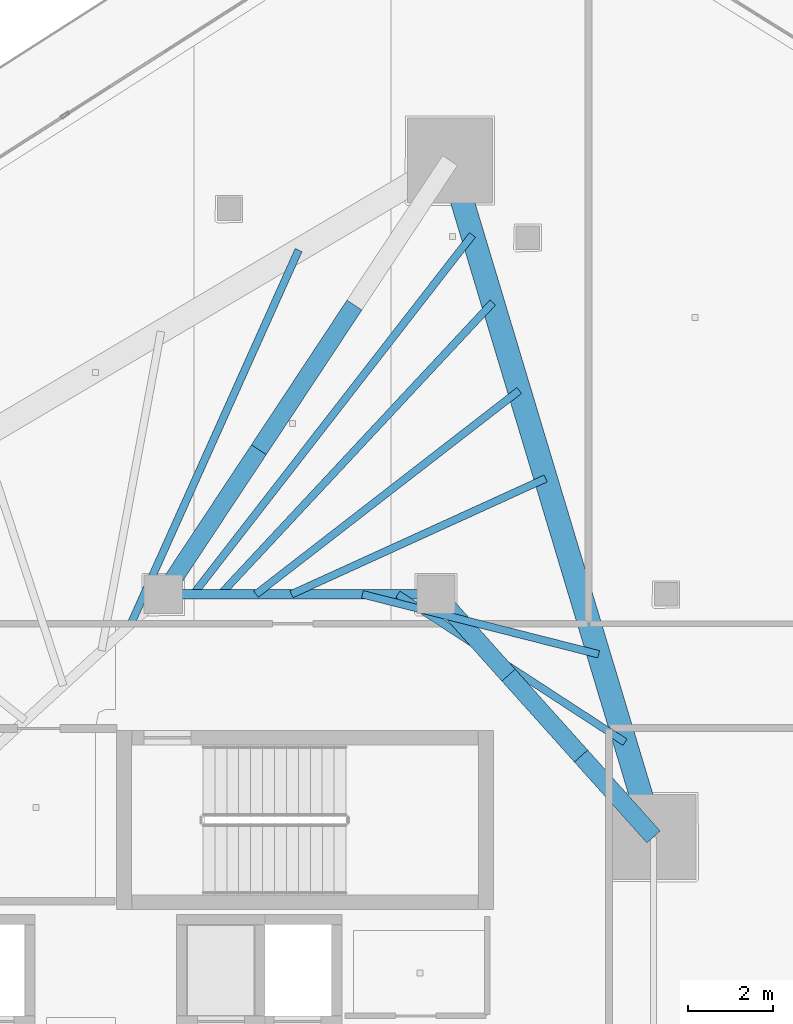
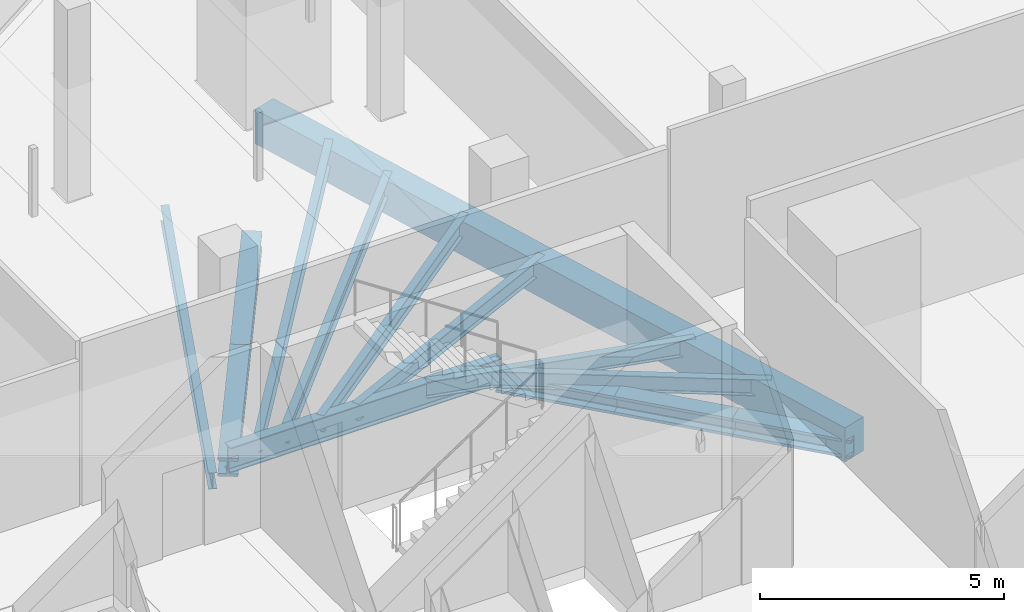
# One storey, part 18 of 36: 9 beams, 5 members.
"""IFC4 building model written with IfcOpenShell, lengths in metres."""

from ifc_helpers import new_model, si_unit, direction, frame, origin, origin_2d, place, context, subcontext, project, spatial, rectangle, i_section, extrude, material, material_profile, profile_set, type_object, element, save


model = new_model("IFC4")

# Units and contexts
model_context = context("Model", 3, precision=1e-05, world=origin(), true_north=direction((0.0, 1.0)))
body_context = subcontext(model_context, "Body", "Model", "MODEL_VIEW")
ifc_project = project(units=[si_unit("LENGTHUNIT", "METRE"), si_unit("AREAUNIT", "SQUARE_METRE"), si_unit("VOLUMEUNIT", "CUBIC_METRE"), si_unit("PLANEANGLEUNIT", "RADIAN"), si_unit("MASSUNIT", "GRAM", prefix="KILO")], contexts=[model_context])

# Site, building, storey
site_placement = place(None, origin())
site = spatial("IfcSite", under=ifc_project, at=site_placement, CompositionType="ELEMENT")
building_placement = place(site_placement, origin())
building = spatial("IfcBuilding", under=site, at=building_placement, Name="Qorvath Tower", CompositionType="ELEMENT")
storey_placement = place(building_placement, frame((0.0, 0.0, 180.0)))
storey = spatial("IfcBuildingStorey", under=building, at=storey_placement, Name="L41", CompositionType="ELEMENT", Elevation=180.0)

# Beams
ifc_material_1 = material(Name="Steel ASTM A992 Grade 50", Category="steel")
ifc_material_profile_1 = material_profile(ifc_material_1, i_section(OverallWidth=0.22998046875, OverallDepth=0.616943359375, WebThickness=0.01318359375, FlangeThickness=0.022216796875, FilletRadius=0.014892578125, at=origin_2d()), Name="W24x94")
ifc_profile_set_1 = profile_set([ifc_material_profile_1], Name="Steel ASTM A992 Grade 50")
beam_type_1 = type_object("IfcBeamType", Name="BM-FG6", PredefinedType="BEAM", material=ifc_profile_set_1)
beam_1_placement = place(storey_placement, frame((-23.60009765625, 11.449951171875, -0.6083984375), z_axis=(1.0, 0.0, 0.0), x_axis=(0.0, 1.0, 0.0)))
element("IfcBeam", 1, at=beam_1_placement, inside=storey, type_object=beam_type_1, Name="Core Ring Girder CC1-CC2 L41", PredefinedType="BEAM", context=body_context, shape_type="SweptSolid", body=[
    extrude(i_section(OverallWidth=0.22998046875, OverallDepth=0.616943359375, WebThickness=0.01318359375, FlangeThickness=0.022216796875, FilletRadius=0.014892578125, at=origin_2d()), origin(), (0.0, 0.0, 1.0), 6.400146484375),
])
ifc_material_2 = material(Name="Steel ASTM A992 Grade 50", Category="steel")
ifc_material_profile_2 = material_profile(ifc_material_2, i_section(OverallWidth=0.177978515625, OverallDepth=0.406005859375, WebThickness=0.0078125, FlangeThickness=0.0126953125, FilletRadius=0.010986328125, at=origin_2d()), Name="W16x40")
ifc_profile_set_2 = profile_set([ifc_material_profile_2], Name="Steel ASTM A992 Grade 50")
beam_type_2 = type_object("IfcBeamType", Name="BM-FJ3", PredefinedType="JOIST", material=ifc_profile_set_2)
beam_2_placement = place(storey_placement, frame((-18.095947265625, 11.449951171875, -0.5029296875), z_axis=(0.838041756057, -0.545606098853, 0.0), x_axis=(0.545606098853, 0.838041756057, 0.0)))
element("IfcBeam", 2, at=beam_2_placement, inside=storey, type_object=beam_type_2, Name="Composite Floor Joist NE1 L41", PredefinedType="JOIST", context=body_context, shape_type="SweptSolid", body=[
    extrude(i_section(OverallWidth=0.177978515625, OverallDepth=0.406005859375, WebThickness=0.0078125, FlangeThickness=0.0126953125, FilletRadius=0.010986328125, at=origin_2d()), origin(), (0.0, 0.0, 1.0), 6.36083984375),
])
beam_3_placement = place(storey_placement, frame((-18.927978515625, 11.449951171875, -0.5029296875), z_axis=(0.969231577698, -0.246150662794, 0.0), x_axis=(0.246150662794, 0.969231577698, 0.0)))
element("IfcBeam", 3, at=beam_3_placement, inside=storey, type_object=beam_type_2, Name="Composite Floor Joist NE2 L41", PredefinedType="JOIST", context=body_context, shape_type="SweptSolid", body=[
    extrude(i_section(OverallWidth=0.177978515625, OverallDepth=0.406005859375, WebThickness=0.0078125, FlangeThickness=0.0126953125, FilletRadius=0.010986328125, at=origin_2d()), origin(), (0.0, 0.0, 1.0), 5.718017578125),
])
beam_4_placement = place(storey_placement, frame((-20.592041015625, 11.449951171875, -0.5029296875), z_axis=(0.909945081179, 0.414728765868, 0.0), x_axis=(-0.414728765868, 0.909945081179, 0.0)))
element("IfcBeam", 4, at=beam_4_placement, inside=storey, type_object=beam_type_2, Name="Composite Floor Joist NE4 L41", PredefinedType="JOIST", context=body_context, shape_type="SweptSolid", body=[
    extrude(i_section(OverallWidth=0.177978515625, OverallDepth=0.406005859375, WebThickness=0.0078125, FlangeThickness=0.0126953125, FilletRadius=0.010986328125, at=origin_2d()), origin(), (0.0, 0.0, 1.0), 6.554931640625),
])
beam_5_placement = place(storey_placement, frame((-21.424072265625, 11.449951171875, -0.5029296875), z_axis=(0.790693445503, 0.612212279555, 0.0), x_axis=(-0.612212279555, 0.790693445503, 0.0)))
element("IfcBeam", 5, at=beam_5_placement, inside=storey, type_object=beam_type_2, Name="Composite Floor Joist NE5 L41", PredefinedType="JOIST", context=body_context, shape_type="SweptSolid", body=[
    extrude(i_section(OverallWidth=0.177978515625, OverallDepth=0.406005859375, WebThickness=0.0078125, FlangeThickness=0.0126953125, FilletRadius=0.010986328125, at=origin_2d()), origin(), (0.0, 0.0, 1.0), 7.810546875),
])
beam_6_placement = place(storey_placement, frame((-22.256103515625, 11.449951171875, -0.5029296875), z_axis=(0.682249490937, 0.731119437654, 0.0), x_axis=(-0.731119437654, 0.682249490937, 0.0)))
element("IfcBeam", 6, at=beam_6_placement, inside=storey, type_object=beam_type_2, Name="Composite Floor Joist NE6 L41", PredefinedType="JOIST", context=body_context, shape_type="SweptSolid", body=[
    extrude(i_section(OverallWidth=0.177978515625, OverallDepth=0.406005859375, WebThickness=0.0078125, FlangeThickness=0.0126953125, FilletRadius=0.010986328125, at=origin_2d()), origin(), (0.0, 0.0, 1.0), 9.362060546875),
])
beam_7_placement = place(storey_placement, frame((-22.89599609375, 11.449951171875, -0.5029296875), z_axis=(0.61345131907, 0.789732536452, 0.0), x_axis=(-0.789732536452, 0.61345131907, 0.0)))
element("IfcBeam", 7, at=beam_7_placement, inside=storey, type_object=beam_type_2, Name="Composite Floor Joist NE7 L41", PredefinedType="JOIST", context=body_context, shape_type="SweptSolid", body=[
    extrude(i_section(OverallWidth=0.177978515625, OverallDepth=0.406005859375, WebThickness=0.0078125, FlangeThickness=0.0126953125, FilletRadius=0.010986328125, at=origin_2d()), origin(), (0.0, 0.0, 1.0), 10.676513671875),
])
beam_8_placement = place(storey_placement, frame((-24.35888671875, 10.757080078125, -0.5029296875), z_axis=(0.409327209141, 0.912387656568, 0.0), x_axis=(-0.912387656568, 0.409327209141, 0.0)))
element("IfcBeam", 8, at=beam_8_placement, inside=storey, type_object=beam_type_2, Name="Composite Floor Joist NW7 L41", PredefinedType="JOIST", context=body_context, shape_type="SweptSolid", body=[
    extrude(i_section(OverallWidth=0.177978515625, OverallDepth=0.406005859375, WebThickness=0.0078125, FlangeThickness=0.0126953125, FilletRadius=0.010986328125, at=origin_2d()), origin(), (0.0, 0.0, 1.0), 9.611083984375),
])
ifc_material_3 = material(Name="Concrete C50/60", Category="concrete")
ifc_material_profile_3 = material_profile(ifc_material_3, rectangle(XDim=0.550048828125, YDim=0.85009765625, at=origin_2d()), Name="RCB 850x550")
ifc_profile_set_3 = profile_set([ifc_material_profile_3], Name="Concrete C50/60")
beam_type_3 = type_object("IfcBeamType", Name="BM-RCB2", PredefinedType="SPANDREL", material=ifc_profile_set_3)
beam_9_placement = place(storey_placement, frame((-12.0966796875, 5.7578125, -0.72509765625), z_axis=(-0.28812763802, 0.957592013443, 0.0), x_axis=(-0.957592013443, -0.28812763802, 0.0)))
element("IfcBeam", 9, at=beam_9_placement, inside=storey, type_object=beam_type_3, Name="Perimeter Loggia Frame Beam MC5-MC6 L41", PredefinedType="SPANDREL", context=body_context, shape_type="SweptSolid", body=[
    extrude(rectangle(XDim=0.550048828125, YDim=0.85009765625, at=origin_2d()), origin(), (0.0, 0.0, 1.0), 16.572265625),
])

# Members
ifc_material_4 = material(Name="Steel ASTM A913 Grade 65", Category="steel")
ifc_material_profile_4 = material_profile(ifc_material_4, i_section(OverallWidth=0.4189453125, OverallDepth=0.455078125, WebThickness=0.0419921875, FlangeThickness=0.067626953125, FilletRadius=0.02490234375, at=origin_2d()), Name="W14x370")
ifc_profile_set_4 = profile_set([ifc_material_profile_4], Name="Steel ASTM A913 Grade 65")
member_type = type_object("IfcMemberType", Name="MEM-OT2", PredefinedType="CHORD", material=ifc_profile_set_4)
for number, where, z_axis, x_axis, name in (
    (10, (-23.60009765625, 11.449951171875, -0.85009765625), (0.551523648161, 0.834159256689, 0.0), (-0.834159256689, 0.551523648161, 0.0), "Outrigger and Belt Truss Top Chord OB2-1.1"),
    (11, (-21.357177734375, 14.84228515625, -0.85009765625), (0.551481873788, 0.834186875276, 0.0), (-0.834186875276, 0.551481873788, 0.0), "Outrigger and Belt Truss Top Chord OB2-1.2"),
):
    element("IfcMember", number, at=place(storey_placement, frame(where, z_axis=z_axis, x_axis=x_axis)), inside=storey, type_object=member_type, Name=name, PredefinedType="CHORD", context=body_context, shape_type="SweptSolid", body=[
        extrude(i_section(OverallWidth=0.4189453125, OverallDepth=0.455078125, WebThickness=0.0419921875, FlangeThickness=0.067626953125, FilletRadius=0.02490234375, at=origin_2d()), origin(), (0.0, 0.0, 1.0), 4.066650390625),
    ])
member_placement = place(storey_placement, frame((-17.199951171875, 11.449951171875, -0.85009765625), z_axis=(0.66753952077, -0.744574367146, 0.0), x_axis=(0.744574367146, 0.66753952077, 0.0)))
element("IfcMember", 12, at=member_placement, inside=storey, type_object=member_type, Name="Outrigger and Belt Truss Top Chord OB2-2.1", PredefinedType="CHORD", context=body_context, shape_type="SweptSolid", body=[
    extrude(i_section(OverallWidth=0.4189453125, OverallDepth=0.455078125, WebThickness=0.0419921875, FlangeThickness=0.067626953125, FilletRadius=0.02490234375, at=origin_2d()), origin(), (0.0, 0.0, 1.0), 2.548095703125),
])
for number, where, z_axis, x_axis, name in (
    (13, (-15.4990234375, 9.552734375, -0.85009765625), (0.667545015752, -0.744569440646, 0.0), (0.744569440646, 0.667545015752, 0.0), "Outrigger and Belt Truss Top Chord OB2-2.2"),
    (14, (-13.7978515625, 7.6552734375, -0.85009765625), (0.667545015752, -0.744569440646, 0.0), (0.744569440646, 0.667545015752, 0.0), "Outrigger and Belt Truss Top Chord OB2-2.3"),
):
    element("IfcMember", number, at=place(storey_placement, frame(where, z_axis=z_axis, x_axis=x_axis)), inside=storey, type_object=member_type, Name=name, PredefinedType="CHORD", context=body_context, shape_type="SweptSolid", body=[
        extrude(i_section(OverallWidth=0.4189453125, OverallDepth=0.455078125, WebThickness=0.0419921875, FlangeThickness=0.067626953125, FilletRadius=0.02490234375, at=origin_2d()), origin(), (0.0, 0.0, 1.0), 2.54833984375),
    ])

save(model, "model.ifc")
